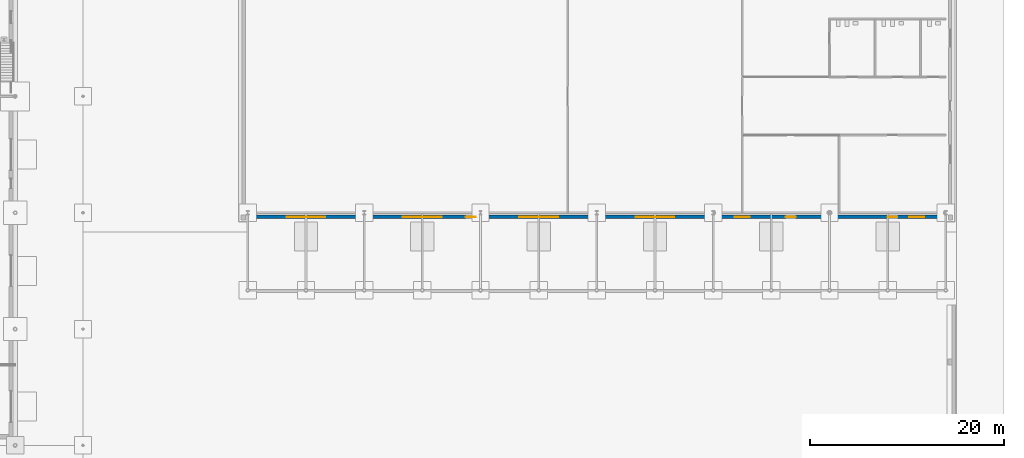
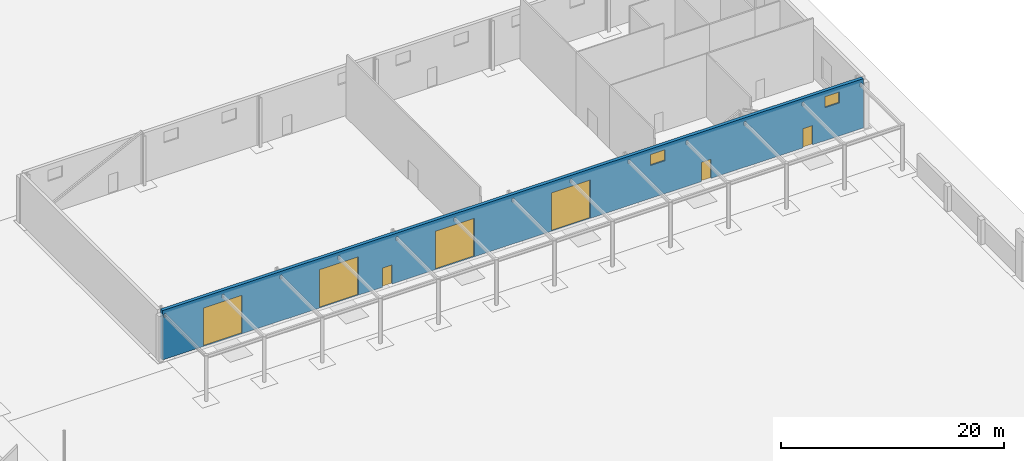
# One storey, part 82 of 132: 7 doors, 2 windows, 1 wall, 22 openings.
"""IFC4 building model written with IfcOpenShell, lengths in metres."""

from ifc_helpers import new_model, si_unit, direction, frame, frame_2d, origin, place, context, subcontext, project, spatial, rectangle, extrude, material, layer, layer_set, type_object, element, fill, save


model = new_model("IFC4")

# Units and contexts
model_context = context("Model", 3, precision=1e-05, world=origin(), true_north=direction((0.0, 1.0)))
body_context = subcontext(model_context, "Body", "Model", "MODEL_VIEW")
ifc_project = project(units=[si_unit("LENGTHUNIT", "METRE"), si_unit("AREAUNIT", "SQUARE_METRE"), si_unit("VOLUMEUNIT", "CUBIC_METRE"), si_unit("PLANEANGLEUNIT", "RADIAN"), si_unit("MASSUNIT", "GRAM", prefix="KILO")], contexts=[model_context])

# Site, building, storey
site_placement = place(None, origin())
site = spatial("IfcSite", under=ifc_project, at=site_placement, CompositionType="ELEMENT")
building_placement = place(site_placement, origin())
building = spatial("IfcBuilding", under=site, at=building_placement, Name="Ravi Spectrum Wholesale Market", CompositionType="ELEMENT")
storey_placement = place(building_placement, origin())
storey = spatial("IfcBuildingStorey", under=building, at=storey_placement, Name="L00", CompositionType="ELEMENT", Elevation=0.0)

# Wall, openings, doors, windows
ifc_material_1 = material(Name="Clinker brickwork", Category="masonry")
ifc_layer = layer(ifc_material_1, 0.340087890625)
ifc_layer_set = layer_set([ifc_layer], Name="Clinker brickwork")
wall_type = type_object("IfcWallType", Name="Brick 340 clinker", PredefinedType="SOLIDWALL", material=ifc_layer_set)
wall_placement = place(storey_placement, frame((221.75, 161.580078125, 0.0), z_axis=(0.0, 0.0, 1.0), x_axis=(1.0, 0.0, 0.0)))
wall = element("IfcWall", 1, at=wall_placement, inside=storey, type_object=wall_type, Name="GS-WL-L00-001", PredefinedType="SOLIDWALL", context=body_context, shape_type="SweptSolid", body=[
    extrude(rectangle(XDim=72.5, YDim=0.340087890625, at=frame_2d((36.25, 0.0))), origin(), (0.0, 0.0, 1.0), 5.39990234375),
])
opening_1_placement = place(wall_placement, frame((0.155029296875, 0.0, 4.610107421875)))
element("IfcOpeningElement", 2, at=opening_1_placement, cuts=wall, Name="Opening GS-OP-L00-001", PredefinedType="OPENING", context=body_context, shape_type="SweptSolid", body=[
    extrude(rectangle(XDim=0.18994140625, YDim=0.3798828125, at=frame_2d((0.094970703125, 0.18994140625))), frame((0.0, 0.179931640625, 0.0), z_axis=(0.0, -1.0, 0.0), x_axis=(1.0, 0.0, 0.0)), (0.0, 0.0, 1.0), 0.360107421875),
])
opening_2_placement = place(wall_placement, frame((6.155029296875, 0.0, 4.610107421875)))
element("IfcOpeningElement", 3, at=opening_2_placement, cuts=wall, Name="Opening GS-OP-L00-002", PredefinedType="OPENING", context=body_context, shape_type="SweptSolid", body=[
    extrude(rectangle(XDim=0.18994140625, YDim=0.3798828125, at=frame_2d((0.094970703125, 0.18994140625))), frame((0.0, 0.179931640625, 0.0), z_axis=(0.0, -1.0, 0.0), x_axis=(1.0, 0.0, 0.0)), (0.0, 0.0, 1.0), 0.360107421875),
])
opening_3_placement = place(wall_placement, frame((12.155029296875, 0.0, 4.610107421875)))
element("IfcOpeningElement", 4, at=opening_3_placement, cuts=wall, Name="Opening GS-OP-L00-003", PredefinedType="OPENING", context=body_context, shape_type="SweptSolid", body=[
    extrude(rectangle(XDim=0.18994140625, YDim=0.3798828125, at=frame_2d((0.094970703125, 0.18994140625))), frame((0.0, 0.179931640625, 0.0), z_axis=(0.0, -1.0, 0.0), x_axis=(1.0, 0.0, 0.0)), (0.0, 0.0, 1.0), 0.360107421875),
])
opening_4_placement = place(wall_placement, frame((18.155029296875, 0.0, 4.610107421875)))
element("IfcOpeningElement", 5, at=opening_4_placement, cuts=wall, Name="Opening GS-OP-L00-004", PredefinedType="OPENING", context=body_context, shape_type="SweptSolid", body=[
    extrude(rectangle(XDim=0.18994140625, YDim=0.3798828125, at=frame_2d((0.094970703125, 0.18994140625))), frame((0.0, 0.179931640625, 0.0), z_axis=(0.0, -1.0, 0.0), x_axis=(1.0, 0.0, 0.0)), (0.0, 0.0, 1.0), 0.360107421875),
])
opening_5_placement = place(wall_placement, frame((24.155029296875, 0.0, 4.610107421875)))
element("IfcOpeningElement", 6, at=opening_5_placement, cuts=wall, Name="Opening GS-OP-L00-005", PredefinedType="OPENING", context=body_context, shape_type="SweptSolid", body=[
    extrude(rectangle(XDim=0.18994140625, YDim=0.3798828125, at=frame_2d((0.094970703125, 0.18994140625))), frame((0.0, 0.179931640625, 0.0), z_axis=(0.0, -1.0, 0.0), x_axis=(1.0, 0.0, 0.0)), (0.0, 0.0, 1.0), 0.360107421875),
])
opening_6_placement = place(wall_placement, frame((30.155029296875, 0.0, 4.610107421875)))
element("IfcOpeningElement", 7, at=opening_6_placement, cuts=wall, Name="Opening GS-OP-L00-006", PredefinedType="OPENING", context=body_context, shape_type="SweptSolid", body=[
    extrude(rectangle(XDim=0.18994140625, YDim=0.3798828125, at=frame_2d((0.094970703125, 0.18994140625))), frame((0.0, 0.179931640625, 0.0), z_axis=(0.0, -1.0, 0.0), x_axis=(1.0, 0.0, 0.0)), (0.0, 0.0, 1.0), 0.360107421875),
])
opening_7_placement = place(wall_placement, frame((36.155029296875, 0.0, 4.610107421875)))
element("IfcOpeningElement", 8, at=opening_7_placement, cuts=wall, Name="Opening GS-OP-L00-007", PredefinedType="OPENING", context=body_context, shape_type="SweptSolid", body=[
    extrude(rectangle(XDim=0.18994140625, YDim=0.3798828125, at=frame_2d((0.094970703125, 0.18994140625))), frame((0.0, 0.179931640625, 0.0), z_axis=(0.0, -1.0, 0.0), x_axis=(1.0, 0.0, 0.0)), (0.0, 0.0, 1.0), 0.360107421875),
])
opening_8_placement = place(wall_placement, frame((42.155029296875, 0.0, 4.610107421875)))
element("IfcOpeningElement", 9, at=opening_8_placement, cuts=wall, Name="Opening GS-OP-L00-008", PredefinedType="OPENING", context=body_context, shape_type="SweptSolid", body=[
    extrude(rectangle(XDim=0.18994140625, YDim=0.3798828125, at=frame_2d((0.094970703125, 0.18994140625))), frame((0.0, 0.179931640625, 0.0), z_axis=(0.0, -1.0, 0.0), x_axis=(1.0, 0.0, 0.0)), (0.0, 0.0, 1.0), 0.360107421875),
])
opening_9_placement = place(wall_placement, frame((48.155029296875, 0.0, 4.610107421875)))
element("IfcOpeningElement", 10, at=opening_9_placement, cuts=wall, Name="Opening GS-OP-L00-009", PredefinedType="OPENING", context=body_context, shape_type="SweptSolid", body=[
    extrude(rectangle(XDim=0.18994140625, YDim=0.3798828125, at=frame_2d((0.094970703125, 0.18994140625))), frame((0.0, 0.179931640625, 0.0), z_axis=(0.0, -1.0, 0.0), x_axis=(1.0, 0.0, 0.0)), (0.0, 0.0, 1.0), 0.360107421875),
])
opening_10_placement = place(wall_placement, frame((54.155029296875, 0.0, 4.610107421875)))
element("IfcOpeningElement", 11, at=opening_10_placement, cuts=wall, Name="Opening GS-OP-L00-010", PredefinedType="OPENING", context=body_context, shape_type="SweptSolid", body=[
    extrude(rectangle(XDim=0.18994140625, YDim=0.3798828125, at=frame_2d((0.094970703125, 0.18994140625))), frame((0.0, 0.179931640625, 0.0), z_axis=(0.0, -1.0, 0.0), x_axis=(1.0, 0.0, 0.0)), (0.0, 0.0, 1.0), 0.360107421875),
])
opening_11_placement = place(wall_placement, frame((60.155029296875, 0.0, 4.610107421875)))
element("IfcOpeningElement", 12, at=opening_11_placement, cuts=wall, Name="Opening GS-OP-L00-011", PredefinedType="OPENING", context=body_context, shape_type="SweptSolid", body=[
    extrude(rectangle(XDim=0.18994140625, YDim=0.3798828125, at=frame_2d((0.094970703125, 0.18994140625))), frame((0.0, 0.179931640625, 0.0), z_axis=(0.0, -1.0, 0.0), x_axis=(1.0, 0.0, 0.0)), (0.0, 0.0, 1.0), 0.360107421875),
])
opening_12_placement = place(wall_placement, frame((66.155029296875, 0.0, 4.610107421875)))
element("IfcOpeningElement", 13, at=opening_12_placement, cuts=wall, Name="Opening GS-OP-L00-012", PredefinedType="OPENING", context=body_context, shape_type="SweptSolid", body=[
    extrude(rectangle(XDim=0.18994140625, YDim=0.3798828125, at=frame_2d((0.094970703125, 0.18994140625))), frame((0.0, 0.179931640625, 0.0), z_axis=(0.0, -1.0, 0.0), x_axis=(1.0, 0.0, 0.0)), (0.0, 0.0, 1.0), 0.360107421875),
])
opening_13_placement = place(wall_placement, frame((72.155029296875, 0.0, 4.610107421875)))
element("IfcOpeningElement", 14, at=opening_13_placement, cuts=wall, Name="Opening GS-OP-L00-013", PredefinedType="OPENING", context=body_context, shape_type="SweptSolid", body=[
    extrude(rectangle(XDim=0.18994140625, YDim=0.3798828125, at=frame_2d((0.094970703125, 0.18994140625))), frame((0.0, 0.179931640625, 0.0), z_axis=(0.0, -1.0, 0.0), x_axis=(1.0, 0.0, 0.0)), (0.0, 0.0, 1.0), 0.360107421875),
])
opening_14_placement = place(wall_placement, frame((4.25, 0.0, 0.0)))
opening_14 = element("IfcOpeningElement", 15, at=opening_14_placement, cuts=wall, Name="Opening D713", PredefinedType="OPENING", context=body_context, shape_type="SweptSolid", body=[
    extrude(rectangle(XDim=4.0, YDim=4.199951171875, at=frame_2d((2.0, 2.10009765625))), frame((0.0, 0.179931640625, 0.0), z_axis=(0.0, -1.0, 0.0), x_axis=(1.0, 0.0, 0.0)), (0.0, 0.0, 1.0), 0.360107421875),
])
opening_15_placement = place(wall_placement, frame((16.25, 0.0, 0.0)))
opening_15 = element("IfcOpeningElement", 16, at=opening_15_placement, cuts=wall, Name="Opening D714", PredefinedType="OPENING", context=body_context, shape_type="SweptSolid", body=[
    extrude(rectangle(XDim=4.0, YDim=4.199951171875, at=frame_2d((2.0, 2.10009765625))), frame((0.0, 0.179931640625, 0.0), z_axis=(0.0, -1.0, 0.0), x_axis=(1.0, 0.0, 0.0)), (0.0, 0.0, 1.0), 0.360107421875),
])
opening_16_placement = place(wall_placement, frame((23.75, 0.0, 0.0), z_axis=(0.0, 0.0, 1.0), x_axis=(-1.0, 0.0, 0.0)))
opening_16 = element("IfcOpeningElement", 17, at=opening_16_placement, cuts=wall, Name="Opening D718", PredefinedType="OPENING", context=body_context, shape_type="SweptSolid", body=[
    extrude(rectangle(XDim=1.0, YDim=2.10009765625, at=frame_2d((0.5, 1.050048828125))), frame((0.0, 0.179931640625, 0.0), z_axis=(0.0, -1.0, 0.0), x_axis=(1.0, 0.0, 0.0)), (0.0, 0.0, 1.0), 0.360107421875),
])
opening_17_placement = place(wall_placement, frame((28.25, 0.0, 0.0)))
opening_17 = element("IfcOpeningElement", 18, at=opening_17_placement, cuts=wall, Name="Opening D715", PredefinedType="OPENING", context=body_context, shape_type="SweptSolid", body=[
    extrude(rectangle(XDim=4.0, YDim=4.199951171875, at=frame_2d((2.0, 2.10009765625))), frame((0.0, 0.179931640625, 0.0), z_axis=(0.0, -1.0, 0.0), x_axis=(1.0, 0.0, 0.0)), (0.0, 0.0, 1.0), 0.360107421875),
])
opening_18_placement = place(wall_placement, frame((40.25, 0.0, 0.0)))
opening_18 = element("IfcOpeningElement", 19, at=opening_18_placement, cuts=wall, Name="Opening D719", PredefinedType="OPENING", context=body_context, shape_type="SweptSolid", body=[
    extrude(rectangle(XDim=4.0, YDim=4.199951171875, at=frame_2d((2.0, 2.10009765625))), frame((0.0, 0.179931640625, 0.0), z_axis=(0.0, -1.0, 0.0), x_axis=(1.0, 0.0, 0.0)), (0.0, 0.0, 1.0), 0.360107421875),
])
opening_19_placement = place(wall_placement, frame((56.75, 0.0, 0.0), z_axis=(0.0, 0.0, 1.0), x_axis=(-1.0, 0.0, 0.0)))
opening_19 = element("IfcOpeningElement", 20, at=opening_19_placement, cuts=wall, Name="Opening D724", PredefinedType="OPENING", context=body_context, shape_type="SweptSolid", body=[
    extrude(rectangle(XDim=1.0, YDim=2.10009765625, at=frame_2d((0.5, 1.050048828125))), frame((0.0, 0.179931640625, 0.0), z_axis=(0.0, -1.0, 0.0), x_axis=(1.0, 0.0, 0.0)), (0.0, 0.0, 1.0), 0.360107421875),
])
opening_20_placement = place(wall_placement, frame((67.25, 0.0, 0.0), z_axis=(0.0, 0.0, 1.0), x_axis=(-1.0, 0.0, 0.0)))
opening_20 = element("IfcOpeningElement", 21, at=opening_20_placement, cuts=wall, Name="Opening D726", PredefinedType="OPENING", context=body_context, shape_type="SweptSolid", body=[
    extrude(rectangle(XDim=1.0, YDim=2.10009765625, at=frame_2d((0.5, 1.050048828125))), frame((0.0, 0.179931640625, 0.0), z_axis=(0.0, -1.0, 0.0), x_axis=(1.0, 0.0, 0.0)), (0.0, 0.0, 1.0), 0.360107421875),
])
opening_21_placement = place(wall_placement, frame((50.5, 0.0, 3.60009765625)))
opening_21 = element("IfcOpeningElement", 22, at=opening_21_placement, cuts=wall, Name="Opening W3600", PredefinedType="OPENING", context=body_context, shape_type="SweptSolid", body=[
    extrude(rectangle(XDim=1.5, YDim=1.199951171875, at=frame_2d((0.75, 0.60009765625))), frame((0.0, 0.179931640625, 0.0), z_axis=(0.0, -1.0, 0.0), x_axis=(1.0, 0.0, 0.0)), (0.0, 0.0, 1.0), 0.360107421875),
])
opening_22_placement = place(wall_placement, frame((68.5, 0.0, 3.60009765625)))
opening_22 = element("IfcOpeningElement", 23, at=opening_22_placement, cuts=wall, Name="Opening W3602", PredefinedType="OPENING", context=body_context, shape_type="SweptSolid", body=[
    extrude(rectangle(XDim=1.5, YDim=1.199951171875, at=frame_2d((0.75, 0.60009765625))), frame((0.0, 0.179931640625, 0.0), z_axis=(0.0, -1.0, 0.0), x_axis=(1.0, 0.0, 0.0)), (0.0, 0.0, 1.0), 0.360107421875),
])
ifc_material_2 = material(Name="Steel roller shutter", Category="steel")
door_type_1 = type_object("IfcDoorType", Name="Dock roller shutter 4000 x 4200", OperationType="ROLLINGUP", PredefinedType="DOOR", material=ifc_material_2)
door_1_placement = place(opening_14_placement, origin())
door_1 = element("IfcDoor", 24, at=door_1_placement, inside=storey, type_object=door_type_1, Name="Door D713", OperationType="ROLLINGUP", OverallHeight=4.199951171875, OverallWidth=4.0, PredefinedType="DOOR", context=body_context, shape_type="SweptSolid", body=[
    extrude(rectangle(XDim=4.0, YDim=4.199951171875, at=frame_2d((2.0, 2.10009765625))), frame((0.0, 0.02490234375, 0.0), z_axis=(0.0, -1.0, 0.0), x_axis=(1.0, 0.0, 0.0)), (0.0, 0.0, 1.0), 0.050048828125),
])
fill(opening_14, door_1)
door_2_placement = place(opening_15_placement, origin())
door_2 = element("IfcDoor", 25, at=door_2_placement, inside=storey, type_object=door_type_1, Name="Door D714", OperationType="ROLLINGUP", OverallHeight=4.199951171875, OverallWidth=4.0, PredefinedType="DOOR", context=body_context, shape_type="SweptSolid", body=[
    extrude(rectangle(XDim=4.0, YDim=4.199951171875, at=frame_2d((2.0, 2.10009765625))), frame((0.0, 0.02490234375, 0.0), z_axis=(0.0, -1.0, 0.0), x_axis=(1.0, 0.0, 0.0)), (0.0, 0.0, 1.0), 0.050048828125),
])
fill(opening_15, door_2)
door_3_placement = place(opening_17_placement, origin())
door_3 = element("IfcDoor", 26, at=door_3_placement, inside=storey, type_object=door_type_1, Name="Door D715", OperationType="ROLLINGUP", OverallHeight=4.199951171875, OverallWidth=4.0, PredefinedType="DOOR", context=body_context, shape_type="SweptSolid", body=[
    extrude(rectangle(XDim=4.0, YDim=4.199951171875, at=frame_2d((2.0, 2.10009765625))), frame((0.0, 0.02490234375, 0.0), z_axis=(0.0, -1.0, 0.0), x_axis=(1.0, 0.0, 0.0)), (0.0, 0.0, 1.0), 0.050048828125),
])
fill(opening_17, door_3)
door_4_placement = place(opening_18_placement, origin())
door_4 = element("IfcDoor", 27, at=door_4_placement, inside=storey, type_object=door_type_1, Name="Door D719", OperationType="ROLLINGUP", OverallHeight=4.199951171875, OverallWidth=4.0, PredefinedType="DOOR", context=body_context, shape_type="SweptSolid", body=[
    extrude(rectangle(XDim=4.0, YDim=4.199951171875, at=frame_2d((2.0, 2.10009765625))), frame((0.0, 0.02490234375, 0.0), z_axis=(0.0, -1.0, 0.0), x_axis=(1.0, 0.0, 0.0)), (0.0, 0.0, 1.0), 0.050048828125),
])
fill(opening_18, door_4)
ifc_material_3 = material(Name="Steel window frame", Category="steel")
window_type = type_object("IfcWindowType", Name="High level store window 1500 x 1200", PartitioningType="SINGLE_PANEL", PredefinedType="WINDOW", material=ifc_material_3)
window_1_placement = place(opening_21_placement, origin())
window_1 = element("IfcWindow", 28, at=window_1_placement, inside=storey, type_object=window_type, Name="Window W3600", OverallHeight=1.199951171875, OverallWidth=1.5, PartitioningType="SINGLE_PANEL", PredefinedType="WINDOW", context=body_context, shape_type="SweptSolid", body=[
    extrude(rectangle(XDim=1.5, YDim=1.199951171875, at=frame_2d((0.75, 0.60009765625))), frame((0.0, 0.030029296875, 0.0), z_axis=(0.0, -1.0, 0.0), x_axis=(1.0, 0.0, 0.0)), (0.0, 0.0, 1.0), 0.06005859375),
])
fill(opening_21, window_1)
window_2_placement = place(opening_22_placement, origin())
window_2 = element("IfcWindow", 29, at=window_2_placement, inside=storey, type_object=window_type, Name="Window W3602", OverallHeight=1.199951171875, OverallWidth=1.5, PartitioningType="SINGLE_PANEL", PredefinedType="WINDOW", context=body_context, shape_type="SweptSolid", body=[
    extrude(rectangle(XDim=1.5, YDim=1.199951171875, at=frame_2d((0.75, 0.60009765625))), frame((0.0, 0.030029296875, 0.0), z_axis=(0.0, -1.0, 0.0), x_axis=(1.0, 0.0, 0.0)), (0.0, 0.0, 1.0), 0.06005859375),
])
fill(opening_22, window_2)
ifc_material_4 = material(Name="Steel door", Category="steel")
door_type_2 = type_object("IfcDoorType", Name="Pedestrian exit door 1000 x 2100", OperationType="SINGLE_SWING_LEFT", PredefinedType="DOOR", material=ifc_material_4)
door_5_placement = place(opening_16_placement, origin())
door_5 = element("IfcDoor", 30, at=door_5_placement, inside=storey, type_object=door_type_2, Name="Door D718", OperationType="SINGLE_SWING_LEFT", OverallHeight=2.10009765625, OverallWidth=1.0, PredefinedType="DOOR", context=body_context, shape_type="SweptSolid", body=[
    extrude(rectangle(XDim=1.0, YDim=2.10009765625, at=frame_2d((0.5, 1.050048828125))), frame((0.0, 0.02490234375, 0.0), z_axis=(0.0, -1.0, 0.0), x_axis=(1.0, 0.0, 0.0)), (0.0, 0.0, 1.0), 0.050048828125),
])
fill(opening_16, door_5)
door_6_placement = place(opening_19_placement, origin())
door_6 = element("IfcDoor", 31, at=door_6_placement, inside=storey, type_object=door_type_2, Name="Door D724", OperationType="SINGLE_SWING_LEFT", OverallHeight=2.10009765625, OverallWidth=1.0, PredefinedType="DOOR", context=body_context, shape_type="SweptSolid", body=[
    extrude(rectangle(XDim=1.0, YDim=2.10009765625, at=frame_2d((0.5, 1.050048828125))), frame((0.0, 0.02490234375, 0.0), z_axis=(0.0, -1.0, 0.0), x_axis=(1.0, 0.0, 0.0)), (0.0, 0.0, 1.0), 0.050048828125),
])
fill(opening_19, door_6)
door_7_placement = place(opening_20_placement, origin())
door_7 = element("IfcDoor", 32, at=door_7_placement, inside=storey, type_object=door_type_2, Name="Door D726", OperationType="SINGLE_SWING_RIGHT", OverallHeight=2.10009765625, OverallWidth=1.0, PredefinedType="DOOR", context=body_context, shape_type="SweptSolid", body=[
    extrude(rectangle(XDim=1.0, YDim=2.10009765625, at=frame_2d((0.5, 1.050048828125))), frame((0.0, 0.02490234375, 0.0), z_axis=(0.0, -1.0, 0.0), x_axis=(1.0, 0.0, 0.0)), (0.0, 0.0, 1.0), 0.050048828125),
])
fill(opening_20, door_7)

save(model, "model.ifc")
